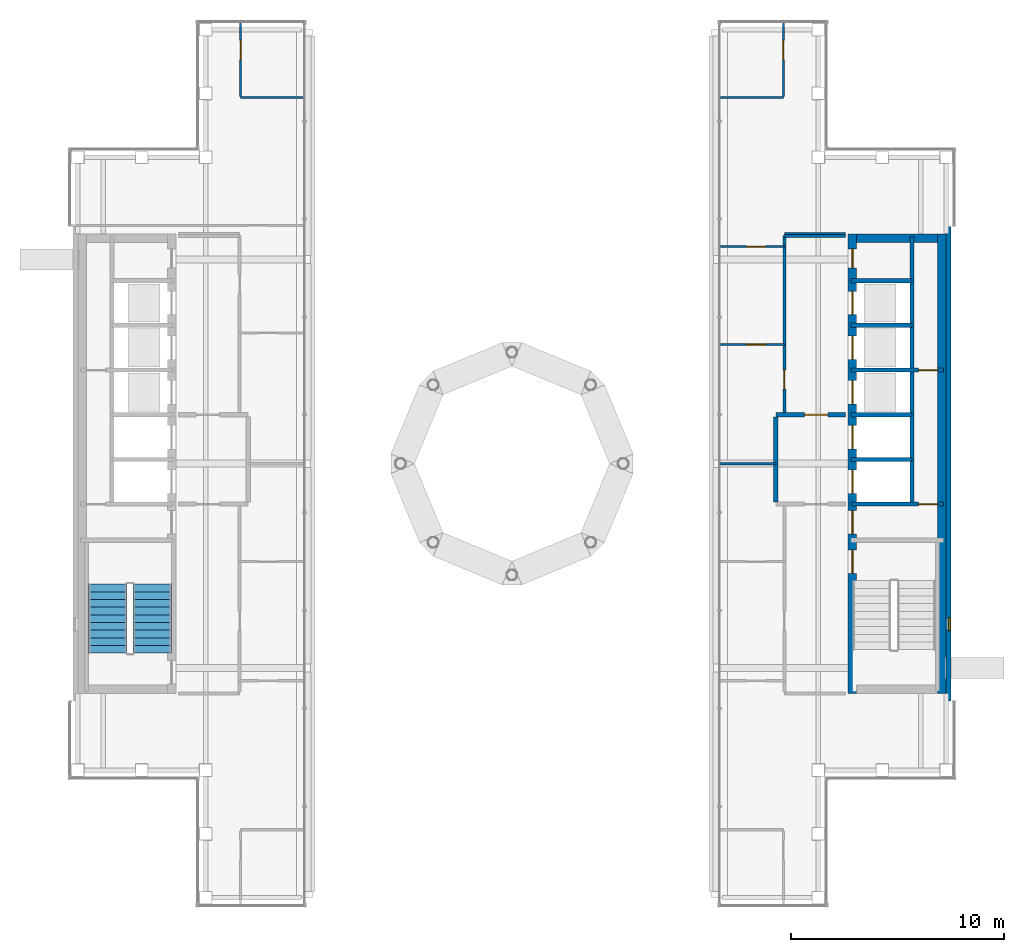
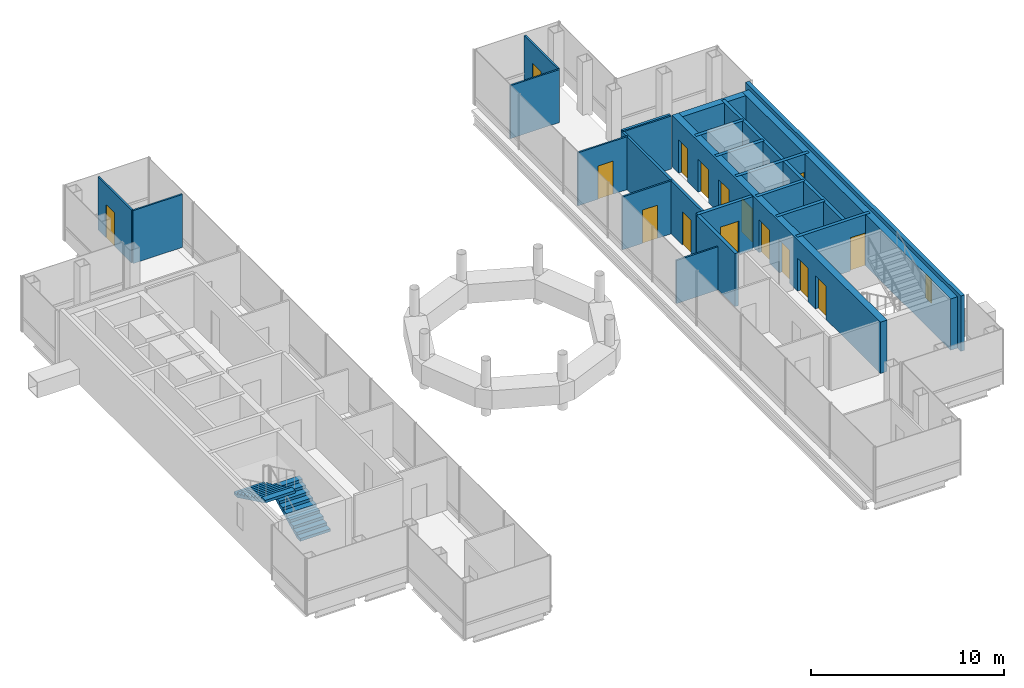
# One storey, part 18 of 21: 24 walls, 16 doors, 2 stair flights, 1 window, 17 openings, 1 element without a shape of its own.
"""IFC4 building model written with IfcOpenShell, lengths in metres."""

import ifcopenshell
import ifcopenshell.guid

model = None  # the IFC model being written
_history = None  # IfcOwnerHistory: only IFC2X3 demands one
_inside = {}  # id of a spatial element -> (the spatial element, [elements in it])
_under = {}  # id of a project, library or spatial element -> (it, [spatial elements below it])
_declared = {}  # id of a project -> (the project, [libraries it declares])
_typed = {}  # id of a type object -> (the type object, [elements of that type])
_made_of = {}  # id of a material, layer set ... -> (it, [elements and type objects made of it])


def new_model(schema):
    """Start an empty IFC model of exactly this schema.

    Asked for "IFC4X3", IfcOpenShell would pick the latest addendum, in which some entities
    have other attributes; the version numbers below select the first issue.
    IFC2X3 requires an IfcOwnerHistory on every rooted entity: one is made here for all.
    """
    global model, _history
    if schema == "IFC4X3":
        model = ifcopenshell.file(schema_version=(4, 3, 0, 0))
    else:
        model = ifcopenshell.file(schema=schema)
    _inside.clear()
    _under.clear()
    _declared.clear()
    _typed.clear()
    _made_of.clear()
    _history = None
    if model.schema == "IFC2X3":
        org = make("IfcOrganization", Name="unknown")
        user = make(
            "IfcPersonAndOrganization",
            ThePerson=make("IfcPerson", FamilyName="unknown"),
            TheOrganization=org,
        )
        app = make(
            "IfcApplication",
            ApplicationDeveloper=org,
            Version="unknown",
            ApplicationFullName="unknown",
            ApplicationIdentifier="unknown",
        )
        _history = make(
            "IfcOwnerHistory",
            OwningUser=user,
            OwningApplication=app,
            ChangeAction="ADDED",
            CreationDate=0,
        )
    return model


def make(cls, **values):
    """One entity of the class cls with the attributes given. An attribute that is None is left unset."""
    return model.create_entity(
        cls, **{name: value for name, value in values.items() if value is not None}
    )


def rooted(cls, **values):
    """An entity with a GlobalId (a new one), such as an element, a storey or a relation."""
    return make(cls, GlobalId=ifcopenshell.guid.new(), OwnerHistory=_history, **values)


def si_unit(unit_type, name, prefix=None):
    """IfcSIUnit, for example si_unit("LENGTHUNIT", "METRE", prefix="MILLI")."""
    return make("IfcSIUnit", UnitType=unit_type, Prefix=prefix, Name=name)


def assignment(units):
    """IfcUnitAssignment: the units of a project."""
    return None if units is None else make("IfcUnitAssignment", Units=units)


def point(xyz):
    """IfcCartesianPoint."""
    return None if xyz is None else make("IfcCartesianPoint", Coordinates=xyz)


def direction(xyz):
    """IfcDirection."""
    return None if xyz is None else make("IfcDirection", DirectionRatios=xyz)


def frame(location, z_axis=None, x_axis=None):
    """IfcAxis2Placement3D, a coordinate frame: its origin and axes. An axis left out is left unset."""
    return make(
        "IfcAxis2Placement3D",
        Location=point(location),
        Axis=direction(z_axis),
        RefDirection=direction(x_axis),
    )


def frame_2d(location, x_axis=None):
    """IfcAxis2Placement2D, a coordinate frame in the plane: its origin and x axis."""
    return make(
        "IfcAxis2Placement2D", Location=point(location), RefDirection=direction(x_axis)
    )


def origin():
    """The frame at (0, 0, 0) with its axes left unset."""
    return frame((0.0, 0.0, 0.0))


def place(relative_to, where):
    """IfcLocalPlacement: puts the frame where relative to a parent placement (None: the world)."""
    return make(
        "IfcLocalPlacement", PlacementRelTo=relative_to, RelativePlacement=where
    )


def context(
    kind, dimensions, precision=None, world=None, true_north=None, identifier=None
):
    """IfcGeometricRepresentationContext, for example the 3D "Model" context."""
    return make(
        "IfcGeometricRepresentationContext",
        ContextIdentifier=identifier,
        ContextType=kind,
        CoordinateSpaceDimension=dimensions,
        Precision=precision,
        WorldCoordinateSystem=world,
        TrueNorth=true_north,
    )


def subcontext(parent, identifier, kind, view, scale=None):
    """IfcGeometricRepresentationSubContext, for example "Body" below "Model"."""
    return make(
        "IfcGeometricRepresentationSubContext",
        ContextIdentifier=identifier,
        ContextType=kind,
        ParentContext=parent,
        TargetScale=scale,
        TargetView=view,
    )


def project(units=None, contexts=None):
    """IfcProject with its units and contexts."""
    return rooted(
        "IfcProject",
        Name="project",
        RepresentationContexts=contexts,
        UnitsInContext=assignment(units),
    )


def spatial(cls, under=None, at=None, **own):
    """A site, building, storey or space (cls), placed at a placement, below another one or the project."""
    s = rooted(cls, ObjectPlacement=at, **own)
    if under is not None:
        _under.setdefault(under.id(), (under, []))[1].append(s)
    return s


def polyline(points):
    """IfcPolyline through the points."""
    return make("IfcPolyline", Points=[point(p) for p in points])


def profile(cls, at=None, kind="AREA", **sizes):
    """A parametric profile (cls). Its sizes go by their IFC names, for example OverallWidth=200.0."""
    return make(cls, ProfileType=kind, Position=at, **sizes)


def rectangle(**sizes):
    """IfcRectangleProfileDef."""
    return profile("IfcRectangleProfileDef", **sizes)


def outline(outer, holes=None, kind="AREA"):
    """IfcArbitraryClosedProfileDef: a profile drawn as a closed curve; with holes, ...WithVoids."""
    if holes is None:
        return make("IfcArbitraryClosedProfileDef", ProfileType=kind, OuterCurve=outer)
    return make(
        "IfcArbitraryProfileDefWithVoids",
        ProfileType=kind,
        OuterCurve=outer,
        InnerCurves=holes,
    )


def extrude(swept, where, along, depth):
    """IfcExtrudedAreaSolid: the profile swept, set in the frame where, extruded along a direction by depth."""
    return make(
        "IfcExtrudedAreaSolid",
        SweptArea=swept,
        Position=where,
        ExtrudedDirection=direction(along),
        Depth=depth,
    )


def shape(context_of_items, identifier, shape_type, items):
    """IfcShapeRepresentation: the items that make up one representation, for example the "Body"."""
    return make(
        "IfcShapeRepresentation",
        ContextOfItems=context_of_items,
        RepresentationIdentifier=identifier,
        RepresentationType=shape_type,
        Items=items,
    )


def material(Name=None, Category=None):
    """IfcMaterial."""
    return make("IfcMaterial", Name=Name, Category=Category)


def layer(
    of_material, thickness, ventilated=None, Name=None, Category=None, Priority=None
):
    """IfcMaterialLayer: one layer of a wall or slab, of a material (None: an air gap)."""
    return make(
        "IfcMaterialLayer",
        Material=of_material,
        LayerThickness=thickness,
        IsVentilated=ventilated,
        Name=Name,
        Category=Category,
        Priority=Priority,
    )


def layer_set(layers, Name=None):
    """IfcMaterialLayerSet."""
    return make("IfcMaterialLayerSet", MaterialLayers=layers, LayerSetName=Name)


def made_of(thing, what):
    """Note that an element or type object is made of a material, layer set ...; save() writes the relation."""
    if what is not None:
        _made_of.setdefault(what.id(), (what, []))[1].append(thing)
    return thing


def type_object(cls, material=None, **own):
    """A type object (cls), such as IfcWallType, which elements share."""
    return made_of(rooted(cls, **own), material)


def element(
    cls,
    number,
    at=None,
    inside=None,
    cuts=None,
    type_object=None,
    material=None,
    context=None,
    identifier="Body",
    shape_type=None,
    held_by="IfcProductDefinitionShape",
    body=None,
    shapes=None,
    **own,
):
    """One element of the class cls, such as IfcWall. Its Tag is "e" and its number.

    at: its placement. inside: the storey or other place that contains it. cuts: it is an
    opening in that element (IfcRelVoidsElement). A single representation is given by context,
    identifier, shape_type and body (its items); several are given by shapes. held_by: the class
    of the entity that holds the representations. save() writes the other relations.
    """
    e = rooted(cls, Tag="e%d" % number, ObjectPlacement=at, **own)
    if body is not None:
        shapes = [shape(context, identifier, shape_type, body)]
    if shapes is not None:
        e.Representation = make(held_by, Representations=shapes)
    if inside is not None:
        _inside.setdefault(inside.id(), (inside, []))[1].append(e)
    if cuts is not None:
        rooted(
            "IfcRelVoidsElement", RelatingBuildingElement=cuts, RelatedOpeningElement=e
        )
    if type_object is not None:
        _typed.setdefault(type_object.id(), (type_object, []))[1].append(e)
    return made_of(e, material)


def fill(opening, filler):
    """IfcRelFillsElement: the door or window that sits in an opening."""
    return rooted(
        "IfcRelFillsElement",
        RelatingOpeningElement=opening,
        RelatedBuildingElement=filler,
    )


def aggregate(whole, parts):
    """IfcRelAggregates: a whole, such as a stair, and the parts it consists of."""
    return rooted("IfcRelAggregates", RelatingObject=whole, RelatedObjects=parts)


def save(model, path):
    """Write the relations noted so far, then the file.

    IfcRelAggregates (storeys below a building ...), IfcRelContainedInSpatialStructure (elements
    in a storey), IfcRelDefinesByType, IfcRelAssociatesMaterial and IfcRelDeclares: one each for
    every whole, place, type object, material and project.
    """
    for whole, parts in _under.values():
        aggregate(whole, parts)
    for where, things in _inside.values():
        rooted(
            "IfcRelContainedInSpatialStructure",
            RelatedElements=things,
            RelatingStructure=where,
        )
    for kind, things in _typed.values():
        rooted("IfcRelDefinesByType", RelatedObjects=things, RelatingType=kind)
    for what, things in _made_of.values():
        rooted("IfcRelAssociatesMaterial", RelatedObjects=things, RelatingMaterial=what)
    for by, libraries in _declared.values():
        rooted("IfcRelDeclares", RelatingContext=by, RelatedDefinitions=libraries)
    model.write(path)


model = new_model("IFC4")

# Units and contexts
model_context = context("Model", 3, precision=1e-05, world=origin(), true_north=direction((0.0, 1.0)))
body_context = subcontext(model_context, "Body", "Model", "MODEL_VIEW")
ifc_project = project(units=[si_unit("LENGTHUNIT", "METRE"), si_unit("AREAUNIT", "SQUARE_METRE"), si_unit("VOLUMEUNIT", "CUBIC_METRE"), si_unit("PLANEANGLEUNIT", "RADIAN"), si_unit("MASSUNIT", "GRAM", prefix="KILO")], contexts=[model_context])

# Site, building, storey
site_placement = place(None, origin())
site = spatial("IfcSite", under=ifc_project, at=site_placement, CompositionType="ELEMENT")
building_placement = place(site_placement, origin())
building = spatial("IfcBuilding", under=site, at=building_placement, Name="Cobrizo Arcos Hotel Tower", CompositionType="ELEMENT")
storey_placement = place(building_placement, frame((0.0, 0.0, 279.5)))
storey = spatial("IfcBuildingStorey", under=building, at=storey_placement, Name="L74", CompositionType="ELEMENT", Elevation=279.5)

# Walls
ifc_material_1 = material(Name="Gypsum board partition")
ifc_layer_1 = layer(ifc_material_1, 0.14990234375)
ifc_layer_set_1 = layer_set([ifc_layer_1], Name="Corridor wall EI 60 150")
wall_type_1 = type_object("IfcWallType", Name="Corridor wall EI 60 150", PredefinedType="PARTITIONING", material=ifc_layer_set_1)
for number, where, z_axis, x_axis, name in (
    (1, (12.800048828125, 10.699951171875, 0.0), (0.0, 0.0, 1.0), (1.0, 0.0, 0.0), "Partition 033"),
    (2, (12.800048828125, 10.800048828125, 0.0), (0.0, 0.0, 1.0), (1.0, 0.0, 0.0), "Partition 035"),
):
    element("IfcWall", number, at=place(storey_placement, frame(where, z_axis=z_axis, x_axis=x_axis)), inside=storey, type_object=wall_type_1, Name=name, PredefinedType="PARTITIONING", context=body_context, shape_type="SweptSolid", body=[
        extrude(rectangle(XDim=2.8798828125, YDim=0.14990234375, at=frame_2d((1.43994140625, 0.0))), origin(), (0.0, 0.0, 1.0), 3.35009765625),
    ])

# Wall, opening, door
wall_1_placement = place(storey_placement, frame((12.800048828125, 2.39990234375, 0.0), z_axis=(0.0, 0.0, 1.0), x_axis=(0.0, 1.0, 0.0)))
wall_1 = element("IfcWall", 3, at=wall_1_placement, inside=storey, type_object=wall_type_1, Name="Partition 051", PredefinedType="PARTITIONING", context=body_context, shape_type="SweptSolid", body=[
    extrude(rectangle(XDim=8.3251953125, YDim=0.14990234375, at=frame_2d((4.16259765625, 0.0))), origin(), (0.0, 0.0, 1.0), 3.35009765625),
])
opening_1_placement = place(wall_1_placement, frame((1.10498046875, 0.0, 0.0)))
opening_1 = element("IfcOpeningElement", 4, at=opening_1_placement, cuts=wall_1, Name="Opening RD-07", PredefinedType="OPENING", context=body_context, shape_type="SweptSolid", body=[
    extrude(rectangle(XDim=0.89990234375, YDim=2.10009765625, at=frame_2d((0.449951171875, 1.050048828125))), frame((0.0, 0.0869140625, 0.0), z_axis=(0.0, -1.0, 0.0), x_axis=(1.0, 0.0, 0.0)), (0.0, 0.0, 1.0), 0.173828125),
])
ifc_material_2 = material(Name="Timber door leaf", Category="wood")
door_type_1 = type_object("IfcDoorType", Name="Room door FD30 900x2100", OperationType="SINGLE_SWING_LEFT", PredefinedType="DOOR", material=ifc_material_2)
door_1_placement = place(opening_1_placement, origin())
door_1 = element("IfcDoor", 5, at=door_1_placement, inside=storey, type_object=door_type_1, Name="Door RD-07", OperationType="SINGLE_SWING_LEFT", OverallHeight=2.10009765625, OverallWidth=0.89990234375, PredefinedType="DOOR", context=body_context, shape_type="SweptSolid", body=[
    extrude(rectangle(XDim=0.89990234375, YDim=2.10009765625, at=frame_2d((0.449951171875, 1.050048828125))), frame((0.0, 0.02490234375, 0.0), z_axis=(0.0, -1.0, 0.0), x_axis=(1.0, 0.0, 0.0)), (0.0, 0.0, 1.0), 0.050048828125),
])
fill(opening_1, door_1)

# Wall, opening, window
ifc_material_3 = material(Name="Aluminium composite panel pale metal", Category="aluminium")
ifc_layer_2 = layer(ifc_material_3, 0.22509765625)
ifc_layer_set_2 = layer_set([ifc_layer_2], Name="EW-1 insulated panel wall 225")
wall_type_2 = type_object("IfcWallType", Name="EW-1 insulated panel wall 225", PredefinedType="SOLIDWALL", material=ifc_layer_set_2)
wall_2_placement = place(storey_placement, frame((20.512451171875, -11.14990234375, 0.0), z_axis=(0.0, 0.0, 1.0), x_axis=(0.0, 1.0, 0.0)))
wall_2 = element("IfcWall", 6, at=wall_2_placement, inside=storey, type_object=wall_type_2, Name="Core face wall L74 E", PredefinedType="SOLIDWALL", context=body_context, shape_type="SweptSolid", body=[
    extrude(rectangle(XDim=22.2998046875, YDim=0.22509765625, at=frame_2d((11.14990234375, 0.0))), origin(), (0.0, 0.0, 1.0), 3.5),
])
opening_2_placement = place(wall_2_placement, frame((3.300048828125, 0.0, 1.0)))
opening_2 = element("IfcOpeningElement", 7, at=opening_2_placement, cuts=wall_2, Name="Opening W-167", PredefinedType="OPENING", context=body_context, shape_type="SweptSolid", body=[
    extrude(rectangle(XDim=0.60009765625, YDim=1.5, at=frame_2d((0.300048828125, 0.75))), frame((0.0, 0.12451171875, 0.0), z_axis=(0.0, -1.0, 0.0), x_axis=(1.0, 0.0, 0.0)), (0.0, 0.0, 1.0), 0.2490234375),
])
ifc_material_4 = material(Name="Aluminium 6063-T6 and clear laminated glass", Category="aluminium")
window_type = type_object("IfcWindowType", Name="W-C1 core stair slot window 600x1500", PartitioningType="SINGLE_PANEL", PredefinedType="WINDOW", material=ifc_material_4)
window_placement = place(opening_2_placement, origin())
window = element("IfcWindow", 8, at=window_placement, inside=storey, type_object=window_type, Name="Core face wall L74 E window W-167", OverallHeight=1.5, OverallWidth=0.60009765625, PartitioningType="SINGLE_PANEL", PredefinedType="WINDOW", context=body_context, shape_type="SweptSolid", body=[
    extrude(rectangle(XDim=0.60009765625, YDim=1.5, at=frame_2d((0.300048828125, 0.75))), frame((0.0, -0.0224609375, 0.0), z_axis=(0.0, -1.0, 0.0), x_axis=(1.0, 0.0, 0.0)), (0.0, 0.0, 1.0), 0.06005859375),
])
fill(opening_2, window)

# Wall
ifc_layer_3 = layer(ifc_material_1, 0.10009765625)
ifc_layer_set_3 = layer_set([ifc_layer_3], Name="Partition EI 30 100")
wall_type_3 = type_object("IfcWallType", Name="Partition EI 30 100", PredefinedType="PARTITIONING", material=ifc_layer_set_3)
wall_3_placement = place(storey_placement, frame((9.798095703125, 0.0, 0.0), z_axis=(0.0, 0.0, 1.0), x_axis=(1.0, 0.0, 0.0)))
element("IfcWall", 9, at=wall_3_placement, inside=storey, type_object=wall_type_3, Name="Partition 016", PredefinedType="PARTITIONING", context=body_context, shape_type="SweptSolid", body=[
    extrude(rectangle(XDim=2.601806640625, YDim=0.10009765625, at=frame_2d((1.30078125, 0.0))), origin(), (0.0, 0.0, 1.0), 2.72802734375),
])

# Wall, opening, door
wall_4_placement = place(storey_placement, frame((9.798095703125, 5.60009765625, 0.0), z_axis=(0.0, 0.0, 1.0), x_axis=(1.0, 0.0, 0.0)))
wall_4 = element("IfcWall", 10, at=wall_4_placement, inside=storey, type_object=wall_type_3, Name="Partition 025", PredefinedType="PARTITIONING", context=body_context, shape_type="SweptSolid", body=[
    extrude(rectangle(XDim=3.001953125, YDim=0.10009765625, at=frame_2d((1.5009765625, 0.0))), origin(), (0.0, 0.0, 1.0), 3.35009765625),
])
opening_3_placement = place(wall_4_placement, frame((1.216064453125, 0.0, 0.0)))
opening_3 = element("IfcOpeningElement", 11, at=opening_3_placement, cuts=wall_4, Name="Opening RD-08", PredefinedType="OPENING", context=body_context, shape_type="SweptSolid", body=[
    extrude(rectangle(XDim=0.89990234375, YDim=2.10009765625, at=frame_2d((0.449951171875, 1.050048828125))), frame((0.0, 0.06201171875, 0.0), z_axis=(0.0, -1.0, 0.0), x_axis=(1.0, 0.0, 0.0)), (0.0, 0.0, 1.0), 0.1240234375),
])
door_2_placement = place(opening_3_placement, origin())
door_2 = element("IfcDoor", 12, at=door_2_placement, inside=storey, type_object=door_type_1, Name="Door RD-08", OperationType="SINGLE_SWING_RIGHT", OverallHeight=2.10009765625, OverallWidth=0.89990234375, PredefinedType="DOOR", context=body_context, shape_type="SweptSolid", body=[
    extrude(rectangle(XDim=0.89990234375, YDim=2.10009765625, at=frame_2d((0.449951171875, 1.050048828125))), frame((0.0, 0.02490234375, 0.0), z_axis=(0.0, -1.0, 0.0), x_axis=(1.0, 0.0, 0.0)), (0.0, 0.0, 1.0), 0.050048828125),
])
fill(opening_3, door_2)

wall_5_placement = place(storey_placement, frame((9.798095703125, 10.199951171875, 0.0), z_axis=(0.0, 0.0, 1.0), x_axis=(1.0, 0.0, 0.0)))
wall_5 = element("IfcWall", 13, at=wall_5_placement, inside=storey, type_object=wall_type_3, Name="Partition 031", PredefinedType="PARTITIONING", context=body_context, shape_type="SweptSolid", body=[
    extrude(rectangle(XDim=3.001953125, YDim=0.10009765625, at=frame_2d((1.5009765625, 0.0))), origin(), (0.0, 0.0, 1.0), 3.35009765625),
])
opening_4_placement = place(wall_5_placement, frame((1.216064453125, 0.0, 0.0)))
opening_4 = element("IfcOpeningElement", 14, at=opening_4_placement, cuts=wall_5, Name="Opening RD-09", PredefinedType="OPENING", context=body_context, shape_type="SweptSolid", body=[
    extrude(rectangle(XDim=0.89990234375, YDim=2.10009765625, at=frame_2d((0.449951171875, 1.050048828125))), frame((0.0, 0.06201171875, 0.0), z_axis=(0.0, -1.0, 0.0), x_axis=(1.0, 0.0, 0.0)), (0.0, 0.0, 1.0), 0.1240234375),
])
door_3_placement = place(opening_4_placement, origin())
door_3 = element("IfcDoor", 15, at=door_3_placement, inside=storey, type_object=door_type_1, Name="Door RD-09", OperationType="SINGLE_SWING_RIGHT", OverallHeight=2.10009765625, OverallWidth=0.89990234375, PredefinedType="DOOR", context=body_context, shape_type="SweptSolid", body=[
    extrude(rectangle(XDim=0.89990234375, YDim=2.10009765625, at=frame_2d((0.449951171875, 1.050048828125))), frame((0.0, 0.02490234375, 0.0), z_axis=(0.0, -1.0, 0.0), x_axis=(1.0, 0.0, 0.0)), (0.0, 0.0, 1.0), 0.050048828125),
])
fill(opening_4, door_3)

# Walls
for number, where, z_axis, x_axis, name in (
    (16, (-12.75, 17.199951171875, 0.0), (0.0, 0.0, 1.0), (1.0, 0.0, 0.0), "Partition 037"),
    (17, (9.798095703125, 17.199951171875, 0.0), (0.0, 0.0, 1.0), (1.0, 0.0, 0.0), "Partition 038"),
):
    element("IfcWall", number, at=place(storey_placement, frame(where, z_axis=z_axis, x_axis=x_axis)), inside=storey, type_object=wall_type_3, Name=name, PredefinedType="PARTITIONING", context=body_context, shape_type="SweptSolid", body=[
        extrude(rectangle(XDim=2.951904296875, YDim=0.10009765625, at=frame_2d((1.47607421875, 0.0))), origin(), (0.0, 0.0, 1.0), 3.35009765625),
    ])

# Wall, opening, door
wall_6_placement = place(storey_placement, frame((-12.75, 17.25, 0.0), z_axis=(0.0, 0.0, 1.0), x_axis=(0.0, 1.0, 0.0)))
wall_6 = element("IfcWall", 18, at=wall_6_placement, inside=storey, type_object=wall_type_3, Name="Partition 045", PredefinedType="PARTITIONING", context=body_context, shape_type="SweptSolid", body=[
    extrude(rectangle(XDim=3.47998046875, YDim=0.10009765625, at=frame_2d((1.739990234375, 0.0))), origin(), (0.0, 0.0, 1.0), 3.35009765625),
])
opening_5_placement = place(wall_6_placement, frame((1.739990234375, 0.0, 0.0)))
opening_5 = element("IfcOpeningElement", 19, at=opening_5_placement, cuts=wall_6, Name="Opening ED-03", PredefinedType="OPENING", context=body_context, shape_type="SweptSolid", body=[
    extrude(rectangle(XDim=0.89990234375, YDim=2.10009765625, at=frame_2d((0.449951171875, 1.050048828125))), frame((0.0, 0.06201171875, 0.0), z_axis=(0.0, -1.0, 0.0), x_axis=(1.0, 0.0, 0.0)), (0.0, 0.0, 1.0), 0.1240234375),
])
door_type_2 = type_object("IfcDoorType", Name="En-suite door 900x2100", OperationType="SINGLE_SWING_LEFT", PredefinedType="DOOR", material=ifc_material_2)
door_4_placement = place(opening_5_placement, origin())
door_4 = element("IfcDoor", 20, at=door_4_placement, inside=storey, type_object=door_type_2, Name="Door ED-03", OperationType="SINGLE_SWING_LEFT", OverallHeight=2.10009765625, OverallWidth=0.89990234375, PredefinedType="DOOR", context=body_context, shape_type="SweptSolid", body=[
    extrude(rectangle(XDim=0.89990234375, YDim=2.10009765625, at=frame_2d((0.449951171875, 1.050048828125))), frame((0.0, 0.02490234375, 0.0), z_axis=(0.0, -1.0, 0.0), x_axis=(1.0, 0.0, 0.0)), (0.0, 0.0, 1.0), 0.050048828125),
])
fill(opening_5, door_4)

wall_7_placement = place(storey_placement, frame((12.75, 17.25, 0.0), z_axis=(0.0, 0.0, 1.0), x_axis=(0.0, 1.0, 0.0)))
wall_7 = element("IfcWall", 21, at=wall_7_placement, inside=storey, type_object=wall_type_3, Name="Partition 049", PredefinedType="PARTITIONING", context=body_context, shape_type="SweptSolid", body=[
    extrude(rectangle(XDim=3.47998046875, YDim=0.10009765625, at=frame_2d((1.739990234375, 0.0))), origin(), (0.0, 0.0, 1.0), 3.35009765625),
])
opening_6_placement = place(wall_7_placement, frame((1.739990234375, 0.0, 0.0)))
opening_6 = element("IfcOpeningElement", 22, at=opening_6_placement, cuts=wall_7, Name="Opening ED-01", PredefinedType="OPENING", context=body_context, shape_type="SweptSolid", body=[
    extrude(rectangle(XDim=0.89990234375, YDim=2.10009765625, at=frame_2d((0.449951171875, 1.050048828125))), frame((0.0, 0.06201171875, 0.0), z_axis=(0.0, -1.0, 0.0), x_axis=(1.0, 0.0, 0.0)), (0.0, 0.0, 1.0), 0.1240234375),
])
door_5_placement = place(opening_6_placement, origin())
door_5 = element("IfcDoor", 23, at=door_5_placement, inside=storey, type_object=door_type_2, Name="Door ED-01", OperationType="SINGLE_SWING_RIGHT", OverallHeight=2.10009765625, OverallWidth=0.89990234375, PredefinedType="DOOR", context=body_context, shape_type="SweptSolid", body=[
    extrude(rectangle(XDim=0.89990234375, YDim=2.10009765625, at=frame_2d((0.449951171875, 1.050048828125))), frame((0.0, 0.02490234375, 0.0), z_axis=(0.0, -1.0, 0.0), x_axis=(1.0, 0.0, 0.0)), (0.0, 0.0, 1.0), 0.050048828125),
])
fill(opening_6, door_5)

# Wall, openings, doors
ifc_material_5 = material(Name="Concrete f'c 40 MPa", Category="concrete")
ifc_layer_4 = layer(ifc_material_5, 0.39990234375)
ifc_layer_set_4 = layer_set([ifc_layer_4], Name="RC core wall 400 f'c 40")
wall_type_4 = type_object("IfcWallType", Name="RC core wall 400 f'c 40", PredefinedType="SHEAR", material=ifc_layer_set_4)
wall_8_placement = place(storey_placement, frame((16.0, -10.800048828125, 0.0), z_axis=(0.0, 0.0, 1.0), x_axis=(0.0, 1.0, 0.0)))
wall_8 = element("IfcWall", 24, at=wall_8_placement, inside=storey, type_object=wall_type_4, Name="Core wall CW4, east core, inner face, L74", PredefinedType="SHEAR", context=body_context, shape_type="SweptSolid", body=[
    extrude(rectangle(XDim=21.60009765625, YDim=0.39990234375, at=frame_2d((10.800048828125, 0.0))), origin(), (0.0, 0.0, 1.0), 3.25),
])
opening_7_placement = place(wall_8_placement, frame((9.39990234375, 0.0, 0.0)))
opening_7 = element("IfcOpeningElement", 25, at=opening_7_placement, cuts=wall_8, Name="Opening LD-06", PredefinedType="OPENING", context=body_context, shape_type="SweptSolid", body=[
    extrude(rectangle(XDim=1.10009765625, YDim=2.10009765625, at=frame_2d((0.550048828125, 1.050048828125))), frame((0.0, 0.2119140625, 0.0), z_axis=(0.0, -1.0, 0.0), x_axis=(1.0, 0.0, 0.0)), (0.0, 0.0, 1.0), 0.423828125),
])
opening_8_placement = place(wall_8_placement, frame((11.5, 0.0, 0.0)))
opening_8 = element("IfcOpeningElement", 26, at=opening_8_placement, cuts=wall_8, Name="Opening LD-07", PredefinedType="OPENING", context=body_context, shape_type="SweptSolid", body=[
    extrude(rectangle(XDim=1.10009765625, YDim=2.10009765625, at=frame_2d((0.550048828125, 1.050048828125))), frame((0.0, 0.2119140625, 0.0), z_axis=(0.0, -1.0, 0.0), x_axis=(1.0, 0.0, 0.0)), (0.0, 0.0, 1.0), 0.423828125),
])
opening_9_placement = place(wall_8_placement, frame((13.60009765625, 0.0, 0.0)))
opening_9 = element("IfcOpeningElement", 27, at=opening_9_placement, cuts=wall_8, Name="Opening LD-08", PredefinedType="OPENING", context=body_context, shape_type="SweptSolid", body=[
    extrude(rectangle(XDim=1.10009765625, YDim=2.10009765625, at=frame_2d((0.550048828125, 1.050048828125))), frame((0.0, 0.2119140625, 0.0), z_axis=(0.0, -1.0, 0.0), x_axis=(1.0, 0.0, 0.0)), (0.0, 0.0, 1.0), 0.423828125),
])
opening_10_placement = place(wall_8_placement, frame((15.699951171875, 0.0, 0.0)))
opening_10 = element("IfcOpeningElement", 28, at=opening_10_placement, cuts=wall_8, Name="Opening LD-09", PredefinedType="OPENING", context=body_context, shape_type="SweptSolid", body=[
    extrude(rectangle(XDim=1.10009765625, YDim=2.10009765625, at=frame_2d((0.550048828125, 1.050048828125))), frame((0.0, 0.2119140625, 0.0), z_axis=(0.0, -1.0, 0.0), x_axis=(1.0, 0.0, 0.0)), (0.0, 0.0, 1.0), 0.423828125),
])
opening_11_placement = place(wall_8_placement, frame((17.800048828125, 0.0, 0.0)))
opening_11 = element("IfcOpeningElement", 29, at=opening_11_placement, cuts=wall_8, Name="Opening LD-10", PredefinedType="OPENING", context=body_context, shape_type="SweptSolid", body=[
    extrude(rectangle(XDim=1.10009765625, YDim=2.10009765625, at=frame_2d((0.550048828125, 1.050048828125))), frame((0.0, 0.2119140625, 0.0), z_axis=(0.0, -1.0, 0.0), x_axis=(1.0, 0.0, 0.0)), (0.0, 0.0, 1.0), 0.423828125),
])
opening_12_placement = place(wall_8_placement, frame((5.64208984375, 0.0, 0.0)))
opening_12 = element("IfcOpeningElement", 30, at=opening_12_placement, cuts=wall_8, Name="Opening SD-02", PredefinedType="OPENING", context=body_context, shape_type="SweptSolid", body=[
    extrude(rectangle(XDim=1.10009765625, YDim=2.10009765625, at=frame_2d((0.550048828125, 1.050048828125))), frame((0.0, 0.2119140625, 0.0), z_axis=(0.0, -1.0, 0.0), x_axis=(1.0, 0.0, 0.0)), (0.0, 0.0, 1.0), 0.423828125),
])
opening_13_placement = place(wall_8_placement, frame((7.5, 0.0, 0.0)))
opening_13 = element("IfcOpeningElement", 31, at=opening_13_placement, cuts=wall_8, Name="Opening FD-04", PredefinedType="OPENING", context=body_context, shape_type="SweptSolid", body=[
    extrude(rectangle(XDim=1.10009765625, YDim=2.10009765625, at=frame_2d((0.550048828125, 1.050048828125))), frame((0.0, 0.2119140625, 0.0), z_axis=(0.0, -1.0, 0.0), x_axis=(1.0, 0.0, 0.0)), (0.0, 0.0, 1.0), 0.423828125),
])
opening_14_placement = place(wall_8_placement, frame((20.0, 0.0, 0.0)))
opening_14 = element("IfcOpeningElement", 32, at=opening_14_placement, cuts=wall_8, Name="Opening RD-04", PredefinedType="OPENING", context=body_context, shape_type="SweptSolid", body=[
    extrude(rectangle(XDim=0.89990234375, YDim=2.10009765625, at=frame_2d((0.449951171875, 1.050048828125))), frame((0.0, 0.2119140625, 0.0), z_axis=(0.0, -1.0, 0.0), x_axis=(1.0, 0.0, 0.0)), (0.0, 0.0, 1.0), 0.423828125),
])
ifc_material_6 = material(Name="Steel door leaf", Category="steel")
door_type_3 = type_object("IfcDoorType", Name="Fire door FD60 1100x2100", OperationType="SINGLE_SWING_LEFT", PredefinedType="DOOR", material=ifc_material_6)
door_6_placement = place(opening_13_placement, origin())
door_6 = element("IfcDoor", 33, at=door_6_placement, inside=storey, type_object=door_type_3, Name="Door FD-04", OperationType="SINGLE_SWING_LEFT", OverallHeight=2.10009765625, OverallWidth=1.10009765625, PredefinedType="DOOR", context=body_context, shape_type="SweptSolid", body=[
    extrude(rectangle(XDim=1.10009765625, YDim=2.10009765625, at=frame_2d((0.550048828125, 1.050048828125))), frame((0.0, 0.02490234375, 0.0), z_axis=(0.0, -1.0, 0.0), x_axis=(1.0, 0.0, 0.0)), (0.0, 0.0, 1.0), 0.050048828125),
])
fill(opening_13, door_6)
door_type_4 = type_object("IfcDoorType", Name="Lift landing door 1100x2100", OperationType="SLIDING_TO_LEFT", PredefinedType="DOOR", material=ifc_material_6)
door_7_placement = place(opening_7_placement, origin())
door_7 = element("IfcDoor", 34, at=door_7_placement, inside=storey, type_object=door_type_4, Name="Lift landing door LD-06", OperationType="SLIDING_TO_LEFT", OverallHeight=2.10009765625, OverallWidth=1.10009765625, PredefinedType="DOOR", context=body_context, shape_type="SweptSolid", body=[
    extrude(rectangle(XDim=1.10009765625, YDim=2.10009765625, at=frame_2d((0.550048828125, 1.050048828125))), frame((0.0, 0.02490234375, 0.0), z_axis=(0.0, -1.0, 0.0), x_axis=(1.0, 0.0, 0.0)), (0.0, 0.0, 1.0), 0.050048828125),
])
fill(opening_7, door_7)
door_8_placement = place(opening_8_placement, origin())
door_8 = element("IfcDoor", 35, at=door_8_placement, inside=storey, type_object=door_type_4, Name="Lift landing door LD-07", OperationType="SLIDING_TO_LEFT", OverallHeight=2.10009765625, OverallWidth=1.10009765625, PredefinedType="DOOR", context=body_context, shape_type="SweptSolid", body=[
    extrude(rectangle(XDim=1.10009765625, YDim=2.10009765625, at=frame_2d((0.550048828125, 1.050048828125))), frame((0.0, 0.02490234375, 0.0), z_axis=(0.0, -1.0, 0.0), x_axis=(1.0, 0.0, 0.0)), (0.0, 0.0, 1.0), 0.050048828125),
])
fill(opening_8, door_8)
door_9_placement = place(opening_9_placement, origin())
door_9 = element("IfcDoor", 36, at=door_9_placement, inside=storey, type_object=door_type_4, Name="Lift landing door LD-08", OperationType="SLIDING_TO_LEFT", OverallHeight=2.10009765625, OverallWidth=1.10009765625, PredefinedType="DOOR", context=body_context, shape_type="SweptSolid", body=[
    extrude(rectangle(XDim=1.10009765625, YDim=2.10009765625, at=frame_2d((0.550048828125, 1.050048828125))), frame((0.0, 0.02490234375, 0.0), z_axis=(0.0, -1.0, 0.0), x_axis=(1.0, 0.0, 0.0)), (0.0, 0.0, 1.0), 0.050048828125),
])
fill(opening_9, door_9)
door_10_placement = place(opening_10_placement, origin())
door_10 = element("IfcDoor", 37, at=door_10_placement, inside=storey, type_object=door_type_4, Name="Lift landing door LD-09", OperationType="SLIDING_TO_LEFT", OverallHeight=2.10009765625, OverallWidth=1.10009765625, PredefinedType="DOOR", context=body_context, shape_type="SweptSolid", body=[
    extrude(rectangle(XDim=1.10009765625, YDim=2.10009765625, at=frame_2d((0.550048828125, 1.050048828125))), frame((0.0, 0.02490234375, 0.0), z_axis=(0.0, -1.0, 0.0), x_axis=(1.0, 0.0, 0.0)), (0.0, 0.0, 1.0), 0.050048828125),
])
fill(opening_10, door_10)
door_11_placement = place(opening_11_placement, origin())
door_11 = element("IfcDoor", 38, at=door_11_placement, inside=storey, type_object=door_type_4, Name="Lift landing door LD-10", OperationType="SLIDING_TO_LEFT", OverallHeight=2.10009765625, OverallWidth=1.10009765625, PredefinedType="DOOR", context=body_context, shape_type="SweptSolid", body=[
    extrude(rectangle(XDim=1.10009765625, YDim=2.10009765625, at=frame_2d((0.550048828125, 1.050048828125))), frame((0.0, 0.02490234375, 0.0), z_axis=(0.0, -1.0, 0.0), x_axis=(1.0, 0.0, 0.0)), (0.0, 0.0, 1.0), 0.050048828125),
])
fill(opening_11, door_11)
door_12_placement = place(opening_14_placement, origin())
door_12 = element("IfcDoor", 39, at=door_12_placement, inside=storey, type_object=door_type_1, Name="Door RD-04", OperationType="SINGLE_SWING_LEFT", OverallHeight=2.10009765625, OverallWidth=0.89990234375, PredefinedType="DOOR", context=body_context, shape_type="SweptSolid", body=[
    extrude(rectangle(XDim=0.89990234375, YDim=2.10009765625, at=frame_2d((0.449951171875, 1.050048828125))), frame((0.0, 0.02490234375, 0.0), z_axis=(0.0, -1.0, 0.0), x_axis=(1.0, 0.0, 0.0)), (0.0, 0.0, 1.0), 0.050048828125),
])
fill(opening_14, door_12)
door_type_5 = type_object("IfcDoorType", Name="Stair door FD60S 1100x2100", OperationType="SINGLE_SWING_LEFT", PredefinedType="DOOR", material=ifc_material_6)
door_13_placement = place(opening_12_placement, origin())
door_13 = element("IfcDoor", 40, at=door_13_placement, inside=storey, type_object=door_type_5, Name="Door SD-02", OperationType="SINGLE_SWING_RIGHT", OverallHeight=2.10009765625, OverallWidth=1.10009765625, PredefinedType="DOOR", context=body_context, shape_type="SweptSolid", body=[
    extrude(rectangle(XDim=1.10009765625, YDim=2.10009765625, at=frame_2d((0.550048828125, 1.050048828125))), frame((0.0, 0.02490234375, 0.0), z_axis=(0.0, -1.0, 0.0), x_axis=(1.0, 0.0, 0.0)), (0.0, 0.0, 1.0), 0.050048828125),
])
fill(opening_12, door_13)

# Walls
wall_9_placement = place(storey_placement, frame((20.199951171875, -10.800048828125, 0.0), z_axis=(0.0, 0.0, 1.0), x_axis=(0.0, 1.0, 0.0)))
element("IfcWall", 41, at=wall_9_placement, inside=storey, type_object=wall_type_4, Name="Core wall CW4, east core, outer face, L74", PredefinedType="SHEAR", context=body_context, shape_type="SweptSolid", body=[
    extrude(rectangle(XDim=21.60009765625, YDim=0.39990234375, at=frame_2d((10.800048828125, 0.0))), origin(), (0.0, 0.0, 1.0), 3.25),
])
wall_10_placement = place(storey_placement, frame((16.199951171875, 10.60009765625, 0.0), z_axis=(0.0, 0.0, 1.0), x_axis=(1.0, 0.0, 0.0)))
element("IfcWall", 42, at=wall_10_placement, inside=storey, type_object=wall_type_4, Name="Core wall CW4, east core, north end, L74", PredefinedType="SHEAR", context=body_context, shape_type="SweptSolid", body=[
    extrude(rectangle(XDim=3.800048828125, YDim=0.39990234375, at=frame_2d((1.89990234375, 0.0))), origin(), (0.0, 0.0, 1.0), 3.25),
])

# Wall, opening, door
ifc_layer_5 = layer(ifc_material_1, 0.199951171875)
ifc_layer_set_5 = layer_set([ifc_layer_5], Name="Shaft wall EI 120 200")
wall_type_5 = type_object("IfcWallType", Name="Shaft wall EI 120 200", PredefinedType="PARTITIONING", material=ifc_layer_set_5)
wall_11_placement = place(storey_placement, frame((15.919921875, -1.89990234375, 0.0), z_axis=(0.0, 0.0, 1.0), x_axis=(1.0, 0.0, 0.0)))
wall_11 = element("IfcWall", 43, at=wall_11_placement, inside=storey, type_object=wall_type_5, Name="Partition 014", PredefinedType="PARTITIONING", context=body_context, shape_type="SweptSolid", body=[
    extrude(rectangle(XDim=4.360107421875, YDim=0.199951171875, at=frame_2d((2.18017578125, 0.0))), origin(), (0.0, 0.0, 1.0), 3.25),
])
opening_15_placement = place(wall_11_placement, frame((3.179931640625, 0.0, 0.0)))
opening_15 = element("IfcOpeningElement", 44, at=opening_15_placement, cuts=wall_11, Name="Opening RD-05", PredefinedType="OPENING", context=body_context, shape_type="SweptSolid", body=[
    extrude(rectangle(XDim=0.89990234375, YDim=2.10009765625, at=frame_2d((0.449951171875, 1.050048828125))), frame((0.0, 0.112060546875, 0.0), z_axis=(0.0, -1.0, 0.0), x_axis=(1.0, 0.0, 0.0)), (0.0, 0.0, 1.0), 0.223876953125),
])
door_14_placement = place(opening_15_placement, origin())
door_14 = element("IfcDoor", 45, at=door_14_placement, inside=storey, type_object=door_type_1, Name="Door RD-05", OperationType="SINGLE_SWING_LEFT", OverallHeight=2.10009765625, OverallWidth=0.89990234375, PredefinedType="DOOR", context=body_context, shape_type="SweptSolid", body=[
    extrude(rectangle(XDim=0.89990234375, YDim=2.10009765625, at=frame_2d((0.449951171875, 1.050048828125))), frame((0.0, 0.02490234375, 0.0), z_axis=(0.0, -1.0, 0.0), x_axis=(1.0, 0.0, 0.0)), (0.0, 0.0, 1.0), 0.050048828125),
])
fill(opening_15, door_14)

# Wall
wall_12_placement = place(storey_placement, frame((15.919921875, 0.199951171875, 0.0), z_axis=(0.0, 0.0, 1.0), x_axis=(1.0, 0.0, 0.0)))
element("IfcWall", 46, at=wall_12_placement, inside=storey, type_object=wall_type_5, Name="Partition 018", PredefinedType="PARTITIONING", context=body_context, shape_type="SweptSolid", body=[
    extrude(rectangle(XDim=2.880126953125, YDim=0.199951171875, at=frame_2d((1.43994140625, 0.0))), origin(), (0.0, 0.0, 1.0), 3.25),
])

# Wall, opening, door
wall_13_placement = place(storey_placement, frame((12.39990234375, 2.300048828125, 0.0), z_axis=(0.0, 0.0, 1.0), x_axis=(1.0, 0.0, 0.0)))
wall_13 = element("IfcWall", 47, at=wall_13_placement, inside=storey, type_object=wall_type_5, Name="Partition 021", PredefinedType="PARTITIONING", context=body_context, shape_type="SweptSolid", body=[
    extrude(rectangle(XDim=3.280029296875, YDim=0.199951171875, at=frame_2d((1.64013671875, 0.0))), origin(), (0.0, 0.0, 1.0), 3.35009765625),
])
opening_16_placement = place(wall_13_placement, frame((1.340087890625, 0.0, 0.0)))
opening_16 = element("IfcOpeningElement", 48, at=opening_16_placement, cuts=wall_13, Name="Opening FD-05", PredefinedType="OPENING", context=body_context, shape_type="SweptSolid", body=[
    extrude(rectangle(XDim=1.10009765625, YDim=2.10009765625, at=frame_2d((0.550048828125, 1.050048828125))), frame((0.0, 0.112060546875, 0.0), z_axis=(0.0, -1.0, 0.0), x_axis=(1.0, 0.0, 0.0)), (0.0, 0.0, 1.0), 0.223876953125),
])
door_15_placement = place(opening_16_placement, origin())
door_15 = element("IfcDoor", 49, at=door_15_placement, inside=storey, type_object=door_type_3, Name="Door FD-05", OperationType="SINGLE_SWING_RIGHT", OverallHeight=2.10009765625, OverallWidth=1.10009765625, PredefinedType="DOOR", context=body_context, shape_type="SweptSolid", body=[
    extrude(rectangle(XDim=1.10009765625, YDim=2.10009765625, at=frame_2d((0.550048828125, 1.050048828125))), frame((0.0, 0.02490234375, 0.0), z_axis=(0.0, -1.0, 0.0), x_axis=(1.0, 0.0, 0.0)), (0.0, 0.0, 1.0), 0.050048828125),
])
fill(opening_16, door_15)

# Wall
wall_14_placement = place(storey_placement, frame((15.919921875, 2.300048828125, 0.0), z_axis=(0.0, 0.0, 1.0), x_axis=(1.0, 0.0, 0.0)))
element("IfcWall", 50, at=wall_14_placement, inside=storey, type_object=wall_type_5, Name="Partition 022", PredefinedType="PARTITIONING", context=body_context, shape_type="SweptSolid", body=[
    extrude(rectangle(XDim=2.880126953125, YDim=0.199951171875, at=frame_2d((1.43994140625, 0.0))), origin(), (0.0, 0.0, 1.0), 3.25),
])

# Wall, opening, door
wall_15_placement = place(storey_placement, frame((15.919921875, 4.39990234375, 0.0), z_axis=(0.0, 0.0, 1.0), x_axis=(1.0, 0.0, 0.0)))
wall_15 = element("IfcWall", 51, at=wall_15_placement, inside=storey, type_object=wall_type_5, Name="Partition 024", PredefinedType="PARTITIONING", context=body_context, shape_type="SweptSolid", body=[
    extrude(rectangle(XDim=4.360107421875, YDim=0.199951171875, at=frame_2d((2.18017578125, 0.0))), origin(), (0.0, 0.0, 1.0), 3.25),
])
opening_17_placement = place(wall_15_placement, frame((3.179931640625, 0.0, 0.0)))
opening_17 = element("IfcOpeningElement", 52, at=opening_17_placement, cuts=wall_15, Name="Opening RD-06", PredefinedType="OPENING", context=body_context, shape_type="SweptSolid", body=[
    extrude(rectangle(XDim=0.89990234375, YDim=2.10009765625, at=frame_2d((0.449951171875, 1.050048828125))), frame((0.0, 0.112060546875, 0.0), z_axis=(0.0, -1.0, 0.0), x_axis=(1.0, 0.0, 0.0)), (0.0, 0.0, 1.0), 0.223876953125),
])
door_16_placement = place(opening_17_placement, origin())
door_16 = element("IfcDoor", 53, at=door_16_placement, inside=storey, type_object=door_type_1, Name="Door RD-06", OperationType="SINGLE_SWING_RIGHT", OverallHeight=2.10009765625, OverallWidth=0.89990234375, PredefinedType="DOOR", context=body_context, shape_type="SweptSolid", body=[
    extrude(rectangle(XDim=0.89990234375, YDim=2.10009765625, at=frame_2d((0.449951171875, 1.050048828125))), frame((0.0, 0.02490234375, 0.0), z_axis=(0.0, -1.0, 0.0), x_axis=(1.0, 0.0, 0.0)), (0.0, 0.0, 1.0), 0.050048828125),
])
fill(opening_17, door_16)

# Walls
for number, where, z_axis, x_axis, name in (
    (54, (15.919921875, 6.5, 0.0), (0.0, 0.0, 1.0), (1.0, 0.0, 0.0), "Partition 028"),
    (55, (15.919921875, 8.60009765625, 0.0), (0.0, 0.0, 1.0), (1.0, 0.0, 0.0), "Partition 030"),
):
    element("IfcWall", number, at=place(storey_placement, frame(where, z_axis=z_axis, x_axis=x_axis)), inside=storey, type_object=wall_type_5, Name=name, PredefinedType="PARTITIONING", context=body_context, shape_type="SweptSolid", body=[
        extrude(rectangle(XDim=2.880126953125, YDim=0.199951171875, at=frame_2d((1.43994140625, 0.0))), origin(), (0.0, 0.0, 1.0), 3.25),
    ])
wall_16_placement = place(storey_placement, frame((12.39990234375, -1.800048828125, 0.0), z_axis=(0.0, 0.0, 1.0), x_axis=(0.0, 1.0, 0.0)))
element("IfcWall", 56, at=wall_16_placement, inside=storey, type_object=wall_type_5, Name="Partition 047", PredefinedType="PARTITIONING", context=body_context, shape_type="SweptSolid", body=[
    extrude(rectangle(XDim=4.0, YDim=0.199951171875, at=frame_2d((2.0, 0.0))), origin(), (0.0, 0.0, 1.0), 3.35009765625),
])
wall_17_placement = place(storey_placement, frame((18.800048828125, -1.800048828125, 0.0), z_axis=(0.0, 0.0, 1.0), x_axis=(0.0, 1.0, 0.0)))
element("IfcWall", 57, at=wall_17_placement, inside=storey, type_object=wall_type_5, Name="Partition 052", PredefinedType="PARTITIONING", context=body_context, shape_type="SweptSolid", body=[
    extrude(rectangle(XDim=6.10009765625, YDim=0.199951171875, at=frame_2d((3.050048828125, 0.0))), origin(), (0.0, 0.0, 1.0), 3.25),
])
wall_18_placement = place(storey_placement, frame((18.800048828125, 4.5, 0.0), z_axis=(0.0, 0.0, 1.0), x_axis=(0.0, 1.0, 0.0)))
element("IfcWall", 58, at=wall_18_placement, inside=storey, type_object=wall_type_5, Name="Partition 053", PredefinedType="PARTITIONING", context=body_context, shape_type="SweptSolid", body=[
    extrude(rectangle(XDim=6.179931640625, YDim=0.199951171875, at=frame_2d((3.08984375, 0.0))), origin(), (0.0, 0.0, 1.0), 3.25),
])

# Stair, stair flights
stair_type = type_object("IfcStairType", Name="Exit stair", PredefinedType="HALF_TURN_STAIR", material=ifc_material_5)
stair_placement = place(storey_placement, origin())
stair = element("IfcStair", 59, at=stair_placement, inside=storey, type_object=stair_type, Name="L74 Exit stair ST-W", PredefinedType="HALF_TURN_STAIR")
stair_flight_type = type_object("IfcStairFlightType", Name="Exit stair flight", PredefinedType="STRAIGHT", material=ifc_material_5)
stair_flight_1_placement = place(storey_placement, frame((-16.89990234375, -8.89990234375, 0.0), z_axis=(0.0, 0.0, 1.0), x_axis=(0.0, 1.0, 0.0)))
stair_flight_1 = element("IfcStairFlight", 60, at=stair_flight_1_placement, type_object=stair_flight_type, Name="ST-W flight 1", NumberOfRisers=10, NumberOfTreads=9, PredefinedType="STRAIGHT", RiserHeight=0.175, TreadLength=0.36, context=body_context, shape_type="SweptSolid", body=[
    extrude(outline(polyline([(0.0, 0.0), (0.0, 0.175048828125), (0.360107421875, 0.175048828125), (0.360107421875, 0.35009765625), (0.719970703125, 0.35009765625), (0.719970703125, 0.52490234375), (1.080078125, 0.52490234375), (1.080078125, 0.699951171875), (1.43994140625, 0.699951171875), (1.43994140625, 0.875), (1.800048828125, 0.875), (1.800048828125, 1.050048828125), (2.159912109375, 1.050048828125), (2.159912109375, 1.22509765625), (2.52001953125, 1.22509765625), (2.52001953125, 1.39990234375), (2.8798828125, 1.39990234375), (2.8798828125, 1.574951171875), (3.239990234375, 1.574951171875), (3.239990234375, 1.75), (3.239990234375, 1.408203125), (0.3427734375, 0.0), (0.0, 0.0)])), frame((0.0, 0.89990234375, 0.0), z_axis=(0.0, -1.0, 0.0), x_axis=(1.0, 0.0, 0.0)), (0.0, 0.0, 1.0), 1.800048828125),
])
stair_flight_2_placement = place(storey_placement, frame((-19.0, -5.659912109375, 1.75), z_axis=(0.0, 0.0, 1.0), x_axis=(0.0, -1.0, 0.0)))
stair_flight_2 = element("IfcStairFlight", 61, at=stair_flight_2_placement, type_object=stair_flight_type, Name="ST-W flight 2", NumberOfRisers=10, NumberOfTreads=9, PredefinedType="STRAIGHT", RiserHeight=0.175, TreadLength=0.36, context=body_context, shape_type="SweptSolid", body=[
    extrude(outline(polyline([(0.0, 0.0), (0.0, 0.175048828125), (0.360107421875, 0.175048828125), (0.360107421875, 0.35009765625), (0.719970703125, 0.35009765625), (0.719970703125, 0.52490234375), (1.080078125, 0.52490234375), (1.080078125, 0.699951171875), (1.43994140625, 0.699951171875), (1.43994140625, 0.875), (1.800048828125, 0.875), (1.800048828125, 1.050048828125), (2.159912109375, 1.050048828125), (2.159912109375, 1.22509765625), (2.52001953125, 1.22509765625), (2.52001953125, 1.39990234375), (2.8798828125, 1.39990234375), (2.8798828125, 1.574951171875), (3.239990234375, 1.574951171875), (3.239990234375, 1.75), (3.239990234375, 1.408203125), (0.3427734375, 0.0), (0.0, 0.0)])), frame((0.0, 0.89990234375, 0.0), z_axis=(0.0, -1.0, 0.0), x_axis=(1.0, 0.0, 0.0)), (0.0, 0.0, 1.0), 1.800048828125),
])
aggregate(stair, [stair_flight_1, stair_flight_2])

save(model, "model.ifc")
